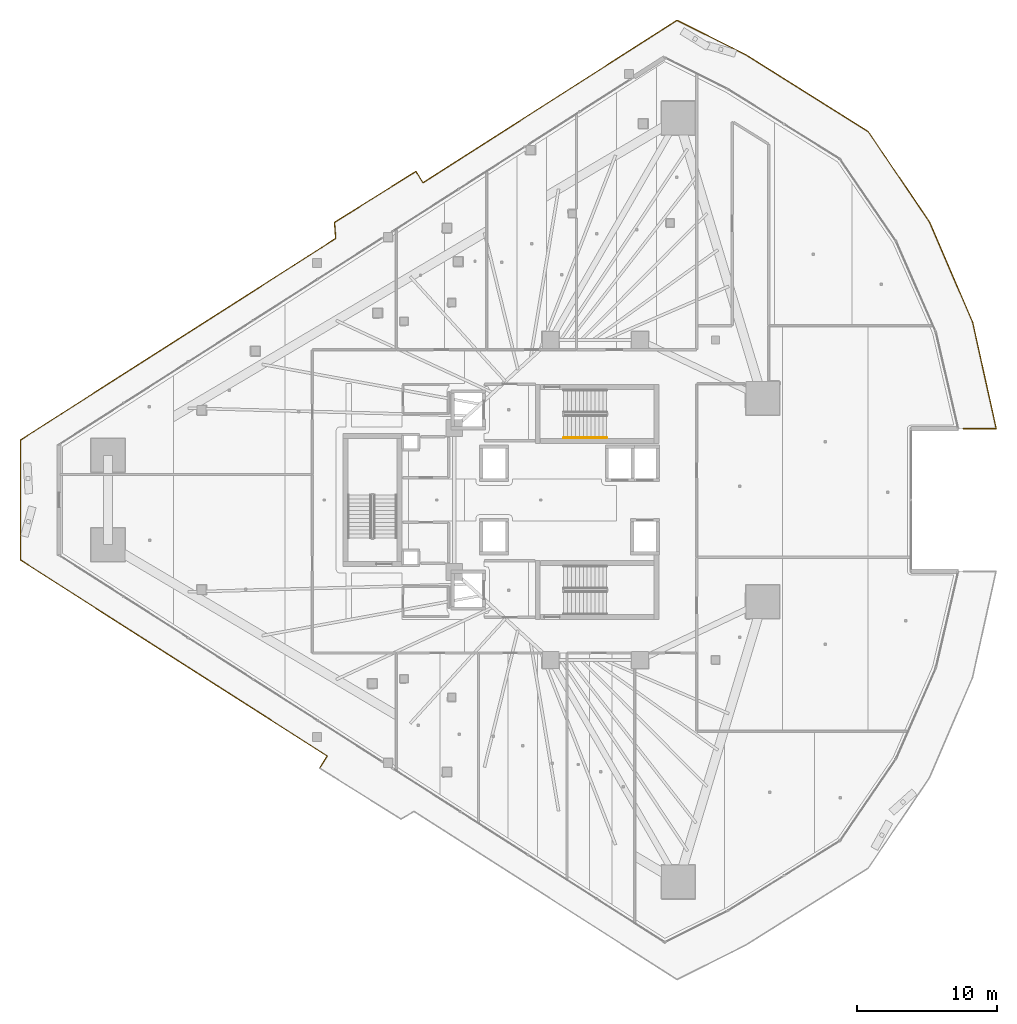
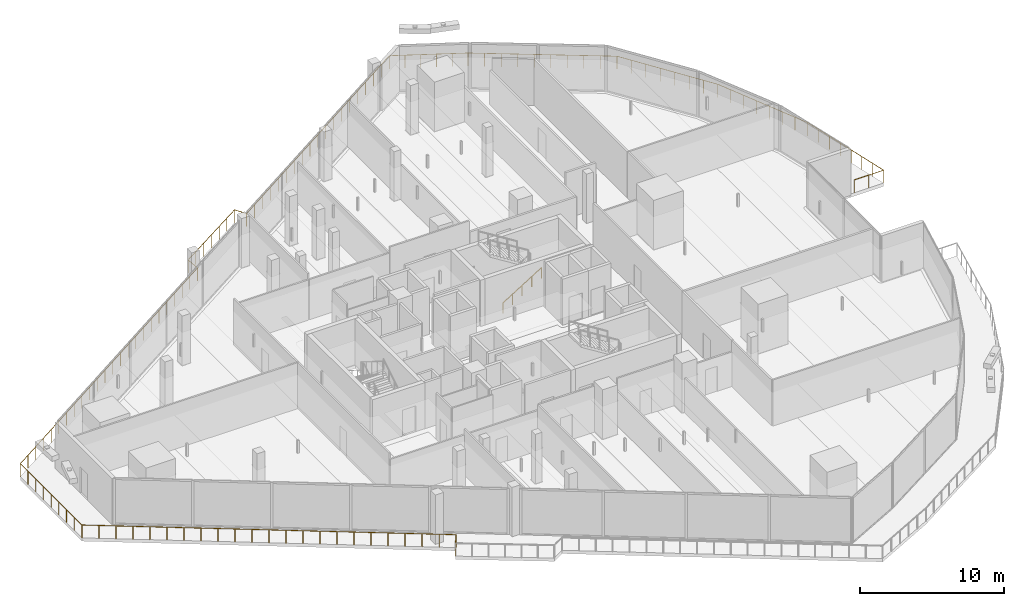
# One storey, part 43 of 45: 2 railings.
"""IFC4 building model written with IfcOpenShell, lengths in metres."""

from ifc_helpers import new_model, si_unit, direction, frame, origin, origin_2d, place, context, subcontext, project, spatial, circle, extrude, material, type_object, element, save


model = new_model("IFC4")

# Units and contexts
model_context = context("Model", 3, precision=1e-05, world=origin(), true_north=direction((0.0, 1.0)))
body_context = subcontext(model_context, "Body", "Model", "MODEL_VIEW")
ifc_project = project(units=[si_unit("LENGTHUNIT", "METRE"), si_unit("AREAUNIT", "SQUARE_METRE"), si_unit("VOLUMEUNIT", "CUBIC_METRE"), si_unit("PLANEANGLEUNIT", "RADIAN"), si_unit("MASSUNIT", "GRAM", prefix="KILO")], contexts=[model_context])

# Site, building, storey
site_placement = place(None, origin())
site = spatial("IfcSite", under=ifc_project, at=site_placement, CompositionType="ELEMENT")
building_placement = place(site_placement, origin())
building = spatial("IfcBuilding", under=site, at=building_placement, Name="Qorvath Tower", CompositionType="ELEMENT")
storey_placement = place(building_placement, frame((0.0, 0.0, 91.199951171875)))
storey = spatial("IfcBuildingStorey", under=building, at=storey_placement, Name="L20", CompositionType="ELEMENT", Elevation=91.199951171875)

# Railings
ifc_material_1 = material(Name="Laminated safety glass and stainless steel AISI 316", Category="steel")
railing_type_1 = type_object("IfcRailingType", Name="RL-EXT-GRD", PredefinedType="GUARDRAIL", material=ifc_material_1)
railing_1_placement = place(storey_placement, frame((-40.152587890625, -19.197998046875, 0.0)))
element("IfcRailing", 1, at=railing_1_placement, inside=storey, type_object=railing_type_1, Name="Loggia Perimeter Guardrail L20-1.1", PredefinedType="GUARDRAIL", context=body_context, shape_type="SweptSolid", body=[
    extrude(circle(Radius=0.02392578125, at=origin_2d()), frame((0.0, 0.0, 1.09619140625), z_axis=(0.539455772968, 0.842013936353, 0.0), x_axis=(-0.842013936353, 0.539455772968, 0.0)), (0.0, 0.0, 1.0), 1.03369140625),
    extrude(circle(Radius=0.02392578125, at=origin_2d()), frame((0.5576171875, 0.870361328125, 1.09619140625), z_axis=(-0.842603814862, 0.538533946172, 0.0), x_axis=(-0.538533946172, -0.842603814862, 0.0)), (0.0, 0.0, 1.0), 26.06396484375),
    extrude(circle(Radius=0.02392578125, at=origin_2d()), frame((-21.404052734375, 14.90673828125, 1.09619140625), z_axis=(0.0, 1.0, 0.0), x_axis=(-1.0, 0.0, 0.0)), (0.0, 0.0, 1.0), 8.58251953125),
    extrude(circle(Radius=0.02392578125, at=origin_2d()), frame((-21.404052734375, 23.4892578125, 1.09619140625), z_axis=(0.842601353451, 0.538537797339, 0.0), x_axis=(-0.538537797339, 0.842601353451, 0.0)), (0.0, 0.0, 1.0), 26.782470703125),
    extrude(circle(Radius=0.02392578125, at=origin_2d()), frame((1.162841796875, 37.91259765625, 1.09619140625), z_axis=(-0.075229995038, 0.997166208737, 0.0), x_axis=(-0.997166208737, -0.075229995038, 0.0)), (0.0, 0.0, 1.0), 1.158447265625),
    extrude(circle(Radius=0.02392578125, at=origin_2d()), frame((1.07568359375, 39.06787109375, 1.09619140625), z_axis=(0.848042108762, 0.529928845946, 0.0), x_axis=(-0.529928845946, 0.848042108762, 0.0)), (0.0, 0.0, 1.0), 6.887939453125),
    extrude(circle(Radius=0.02392578125, at=origin_2d()), frame((6.9169921875, 42.718017578125, 1.09619140625), z_axis=(0.520337982799, -0.853960411059, 0.0), x_axis=(0.853960411059, 0.520337982799, 0.0)), (0.0, 0.0, 1.0), 0.95068359375),
    extrude(circle(Radius=0.02392578125, at=origin_2d()), frame((7.41162109375, 41.90625, 1.09619140625), z_axis=(0.842603862626, 0.53853387144, 0.0), x_axis=(-0.53853387144, 0.842603862626, 0.0)), (0.0, 0.0, 1.0), 21.581298828125),
    extrude(circle(Radius=0.02392578125, at=origin_2d()), frame((25.59619140625, 53.528564453125, 1.09619140625), z_axis=(0.894427191, -0.4472135955, 0.0), x_axis=(0.4472135955, 0.894427191, 0.0)), (0.0, 0.0, 1.0), 5.483154296875),
    extrude(circle(Radius=0.02392578125, at=origin_2d()), frame((30.50048828125, 51.076416015625, 1.09619140625), z_axis=(0.846493918861, -0.532398389677, 0.0), x_axis=(0.532398389677, 0.846493918861, 0.0)), (0.0, 0.0, 1.0), 10.380615234375),
    extrude(circle(Radius=0.02392578125, at=origin_2d()), frame((39.28759765625, 45.5498046875, 1.09619140625), z_axis=(0.560812875322, -0.82794258187, 0.0), x_axis=(0.82794258187, 0.560812875322, 0.0)), (0.0, 0.0, 1.0), 7.805908203125),
    extrude(circle(Radius=0.02392578125, at=origin_2d()), frame((43.665283203125, 39.0869140625, 1.09619140625), z_axis=(0.395507820137, -0.918462609043, 0.0), x_axis=(0.918462609043, 0.395507820137, 0.0)), (0.0, 0.0, 1.0), 7.80615234375),
    extrude(circle(Radius=0.02392578125, at=origin_2d()), frame((46.752685546875, 31.917236328125, 1.09619140625), z_axis=(0.216085924494, -0.976374350972, 0.0), x_axis=(0.976374350972, 0.216085924494, 0.0)), (0.0, 0.0, 1.0), 7.805908203125),
    extrude(circle(Radius=0.02392578125, at=origin_2d()), frame((48.439453125, 24.295654296875, 1.09619140625), z_axis=(-1.0, 0.0, 0.0), x_axis=(0.0, -1.0, 0.0)), (0.0, 0.0, 1.0), 2.366455078125),
    extrude(circle(Radius=0.02099609375, at=origin_2d()), origin(), (0.0, 0.0, 1.0), 1.072021484375),
    extrude(circle(Radius=0.02099609375, at=origin_2d()), frame((0.5576171875, 0.870361328125, 0.0)), (0.0, 0.0, 1.0), 1.072021484375),
    extrude(circle(Radius=0.02099609375, at=origin_2d()), frame((-0.440673828125, 1.50830078125, 0.0)), (0.0, 0.0, 1.0), 1.072021484375),
    extrude(circle(Radius=0.02099609375, at=origin_2d()), frame((-1.43896484375, 2.146484375, 0.0)), (0.0, 0.0, 1.0), 1.072021484375),
    extrude(circle(Radius=0.02099609375, at=origin_2d()), frame((-2.437255859375, 2.784423828125, 0.0)), (0.0, 0.0, 1.0), 1.072021484375),
    extrude(circle(Radius=0.02099609375, at=origin_2d()), frame((-3.435302734375, 3.42236328125, 0.0)), (0.0, 0.0, 1.0), 1.072021484375),
    extrude(circle(Radius=0.02099609375, at=origin_2d()), frame((-4.43359375, 4.060546875, 0.0)), (0.0, 0.0, 1.0), 1.072021484375),
    extrude(circle(Radius=0.02099609375, at=origin_2d()), frame((-5.431884765625, 4.698486328125, 0.0)), (0.0, 0.0, 1.0), 1.072021484375),
    extrude(circle(Radius=0.02099609375, at=origin_2d()), frame((-6.43017578125, 5.33642578125, 0.0)), (0.0, 0.0, 1.0), 1.072021484375),
    extrude(circle(Radius=0.02099609375, at=origin_2d()), frame((-7.428466796875, 5.974609375, 0.0)), (0.0, 0.0, 1.0), 1.072021484375),
    extrude(circle(Radius=0.02099609375, at=origin_2d()), frame((-8.4267578125, 6.612548828125, 0.0)), (0.0, 0.0, 1.0), 1.072021484375),
    extrude(circle(Radius=0.02099609375, at=origin_2d()), frame((-9.425048828125, 7.25048828125, 0.0)), (0.0, 0.0, 1.0), 1.072021484375),
    extrude(circle(Radius=0.02099609375, at=origin_2d()), frame((-10.42333984375, 7.888671875, 0.0)), (0.0, 0.0, 1.0), 1.072021484375),
    extrude(circle(Radius=0.02099609375, at=origin_2d()), frame((-11.42138671875, 8.526611328125, 0.0)), (0.0, 0.0, 1.0), 1.072021484375),
    extrude(circle(Radius=0.02099609375, at=origin_2d()), frame((-12.419677734375, 9.16455078125, 0.0)), (0.0, 0.0, 1.0), 1.072021484375),
    extrude(circle(Radius=0.02099609375, at=origin_2d()), frame((-13.41796875, 9.802490234375, 0.0)), (0.0, 0.0, 1.0), 1.072021484375),
    extrude(circle(Radius=0.02099609375, at=origin_2d()), frame((-14.416259765625, 10.440673828125, 0.0)), (0.0, 0.0, 1.0), 1.072021484375),
    extrude(circle(Radius=0.02099609375, at=origin_2d()), frame((-15.41455078125, 11.07861328125, 0.0)), (0.0, 0.0, 1.0), 1.072021484375),
    extrude(circle(Radius=0.02099609375, at=origin_2d()), frame((-16.412841796875, 11.716552734375, 0.0)), (0.0, 0.0, 1.0), 1.072021484375),
    extrude(circle(Radius=0.02099609375, at=origin_2d()), frame((-17.4111328125, 12.354736328125, 0.0)), (0.0, 0.0, 1.0), 1.072021484375),
    extrude(circle(Radius=0.02099609375, at=origin_2d()), frame((-18.4091796875, 12.99267578125, 0.0)), (0.0, 0.0, 1.0), 1.072021484375),
    extrude(circle(Radius=0.02099609375, at=origin_2d()), frame((-19.407470703125, 13.630615234375, 0.0)), (0.0, 0.0, 1.0), 1.072021484375),
    extrude(circle(Radius=0.02099609375, at=origin_2d()), frame((-20.40576171875, 14.268798828125, 0.0)), (0.0, 0.0, 1.0), 1.072021484375),
    extrude(circle(Radius=0.02099609375, at=origin_2d()), frame((-21.404052734375, 14.90673828125, 0.0)), (0.0, 0.0, 1.0), 1.072021484375),
    extrude(circle(Radius=0.02099609375, at=origin_2d()), frame((-21.404052734375, 15.9794921875, 0.0)), (0.0, 0.0, 1.0), 1.072021484375),
    extrude(circle(Radius=0.02099609375, at=origin_2d()), frame((-21.404052734375, 17.05224609375, 0.0)), (0.0, 0.0, 1.0), 1.072021484375),
    extrude(circle(Radius=0.02099609375, at=origin_2d()), frame((-21.404052734375, 18.125244140625, 0.0)), (0.0, 0.0, 1.0), 1.072021484375),
    extrude(circle(Radius=0.02099609375, at=origin_2d()), frame((-21.404052734375, 19.197998046875, 0.0)), (0.0, 0.0, 1.0), 1.072021484375),
    extrude(circle(Radius=0.02099609375, at=origin_2d()), frame((-21.404052734375, 20.270751953125, 0.0)), (0.0, 0.0, 1.0), 1.072021484375),
    extrude(circle(Radius=0.02099609375, at=origin_2d()), frame((-21.404052734375, 21.34375, 0.0)), (0.0, 0.0, 1.0), 1.072021484375),
    extrude(circle(Radius=0.02099609375, at=origin_2d()), frame((-21.404052734375, 22.41650390625, 0.0)), (0.0, 0.0, 1.0), 1.072021484375),
    extrude(circle(Radius=0.02099609375, at=origin_2d()), frame((-21.404052734375, 23.4892578125, 0.0)), (0.0, 0.0, 1.0), 1.072021484375),
    extrude(circle(Radius=0.02099609375, at=origin_2d()), frame((-20.4228515625, 24.116455078125, 0.0)), (0.0, 0.0, 1.0), 1.072021484375),
    extrude(circle(Radius=0.02099609375, at=origin_2d()), frame((-19.441650390625, 24.743408203125, 0.0)), (0.0, 0.0, 1.0), 1.072021484375),
    extrude(circle(Radius=0.02099609375, at=origin_2d()), frame((-18.46044921875, 25.37060546875, 0.0)), (0.0, 0.0, 1.0), 1.072021484375),
    extrude(circle(Radius=0.02099609375, at=origin_2d()), frame((-17.4794921875, 25.99755859375, 0.0)), (0.0, 0.0, 1.0), 1.072021484375),
    extrude(circle(Radius=0.02099609375, at=origin_2d()), frame((-16.498291015625, 26.624755859375, 0.0)), (0.0, 0.0, 1.0), 1.072021484375),
    extrude(circle(Radius=0.02099609375, at=origin_2d()), frame((-15.51708984375, 27.251953125, 0.0)), (0.0, 0.0, 1.0), 1.072021484375),
    extrude(circle(Radius=0.02099609375, at=origin_2d()), frame((-14.535888671875, 27.87890625, 0.0)), (0.0, 0.0, 1.0), 1.072021484375),
    extrude(circle(Radius=0.02099609375, at=origin_2d()), frame((-13.5546875, 28.506103515625, 0.0)), (0.0, 0.0, 1.0), 1.072021484375),
    extrude(circle(Radius=0.02099609375, at=origin_2d()), frame((-12.573486328125, 29.133056640625, 0.0)), (0.0, 0.0, 1.0), 1.072021484375),
    extrude(circle(Radius=0.02099609375, at=origin_2d()), frame((-11.59228515625, 29.76025390625, 0.0)), (0.0, 0.0, 1.0), 1.072021484375),
    extrude(circle(Radius=0.02099609375, at=origin_2d()), frame((-10.611083984375, 30.387451171875, 0.0)), (0.0, 0.0, 1.0), 1.072021484375),
    extrude(circle(Radius=0.02099609375, at=origin_2d()), frame((-9.630126953125, 31.014404296875, 0.0)), (0.0, 0.0, 1.0), 1.072021484375),
    extrude(circle(Radius=0.02099609375, at=origin_2d()), frame((-8.64892578125, 31.6416015625, 0.0)), (0.0, 0.0, 1.0), 1.072021484375),
    extrude(circle(Radius=0.02099609375, at=origin_2d()), frame((-7.667724609375, 32.268798828125, 0.0)), (0.0, 0.0, 1.0), 1.072021484375),
    extrude(circle(Radius=0.02099609375, at=origin_2d()), frame((-6.6865234375, 32.895751953125, 0.0)), (0.0, 0.0, 1.0), 1.072021484375),
    extrude(circle(Radius=0.02099609375, at=origin_2d()), frame((-5.705322265625, 33.52294921875, 0.0)), (0.0, 0.0, 1.0), 1.072021484375),
    extrude(circle(Radius=0.02099609375, at=origin_2d()), frame((-4.72412109375, 34.14990234375, 0.0)), (0.0, 0.0, 1.0), 1.072021484375),
    extrude(circle(Radius=0.02099609375, at=origin_2d()), frame((-3.742919921875, 34.777099609375, 0.0)), (0.0, 0.0, 1.0), 1.072021484375),
    extrude(circle(Radius=0.02099609375, at=origin_2d()), frame((-2.76171875, 35.404296875, 0.0)), (0.0, 0.0, 1.0), 1.072021484375),
    extrude(circle(Radius=0.02099609375, at=origin_2d()), frame((-1.78076171875, 36.03125, 0.0)), (0.0, 0.0, 1.0), 1.072021484375),
    extrude(circle(Radius=0.02099609375, at=origin_2d()), frame((-0.799560546875, 36.658447265625, 0.0)), (0.0, 0.0, 1.0), 1.072021484375),
    extrude(circle(Radius=0.02099609375, at=origin_2d()), frame((0.181640625, 37.285400390625, 0.0)), (0.0, 0.0, 1.0), 1.072021484375),
    extrude(circle(Radius=0.02099609375, at=origin_2d()), frame((1.162841796875, 37.91259765625, 0.0)), (0.0, 0.0, 1.0), 1.072021484375),
    extrude(circle(Radius=0.02099609375, at=origin_2d()), frame((1.07568359375, 39.06787109375, 0.0)), (0.0, 0.0, 1.0), 1.072021484375),
    extrude(circle(Radius=0.02099609375, at=origin_2d()), frame((2.04931640625, 39.67626953125, 0.0)), (0.0, 0.0, 1.0), 1.072021484375),
    extrude(circle(Radius=0.02099609375, at=origin_2d()), frame((3.022705078125, 40.28466796875, 0.0)), (0.0, 0.0, 1.0), 1.072021484375),
    extrude(circle(Radius=0.02099609375, at=origin_2d()), frame((3.996337890625, 40.89306640625, 0.0)), (0.0, 0.0, 1.0), 1.072021484375),
    extrude(circle(Radius=0.02099609375, at=origin_2d()), frame((4.969970703125, 41.501220703125, 0.0)), (0.0, 0.0, 1.0), 1.072021484375),
    extrude(circle(Radius=0.02099609375, at=origin_2d()), frame((5.943359375, 42.109619140625, 0.0)), (0.0, 0.0, 1.0), 1.072021484375),
    extrude(circle(Radius=0.02099609375, at=origin_2d()), frame((6.9169921875, 42.718017578125, 0.0)), (0.0, 0.0, 1.0), 1.072021484375),
    extrude(circle(Radius=0.02099609375, at=origin_2d()), frame((7.41162109375, 41.90625, 0.0)), (0.0, 0.0, 1.0), 1.072021484375),
    extrude(circle(Radius=0.02099609375, at=origin_2d()), frame((8.421875, 42.552001953125, 0.0)), (0.0, 0.0, 1.0), 1.072021484375),
    extrude(circle(Radius=0.02099609375, at=origin_2d()), frame((9.43212890625, 43.197509765625, 0.0)), (0.0, 0.0, 1.0), 1.072021484375),
    extrude(circle(Radius=0.02099609375, at=origin_2d()), frame((10.4423828125, 43.84326171875, 0.0)), (0.0, 0.0, 1.0), 1.072021484375),
    extrude(circle(Radius=0.02099609375, at=origin_2d()), frame((11.45263671875, 44.489013671875, 0.0)), (0.0, 0.0, 1.0), 1.072021484375),
    extrude(circle(Radius=0.02099609375, at=origin_2d()), frame((12.462890625, 45.134765625, 0.0)), (0.0, 0.0, 1.0), 1.072021484375),
    extrude(circle(Radius=0.02099609375, at=origin_2d()), frame((13.47314453125, 45.7802734375, 0.0)), (0.0, 0.0, 1.0), 1.072021484375),
    extrude(circle(Radius=0.02099609375, at=origin_2d()), frame((14.4833984375, 46.426025390625, 0.0)), (0.0, 0.0, 1.0), 1.072021484375),
    extrude(circle(Radius=0.02099609375, at=origin_2d()), frame((15.49365234375, 47.07177734375, 0.0)), (0.0, 0.0, 1.0), 1.072021484375),
    extrude(circle(Radius=0.02099609375, at=origin_2d()), frame((16.50390625, 47.71728515625, 0.0)), (0.0, 0.0, 1.0), 1.072021484375),
    extrude(circle(Radius=0.02099609375, at=origin_2d()), frame((17.51416015625, 48.363037109375, 0.0)), (0.0, 0.0, 1.0), 1.072021484375),
    extrude(circle(Radius=0.02099609375, at=origin_2d()), frame((18.5244140625, 49.0087890625, 0.0)), (0.0, 0.0, 1.0), 1.072021484375),
    extrude(circle(Radius=0.02099609375, at=origin_2d()), frame((19.53466796875, 49.654541015625, 0.0)), (0.0, 0.0, 1.0), 1.072021484375),
    extrude(circle(Radius=0.02099609375, at=origin_2d()), frame((20.544921875, 50.300048828125, 0.0)), (0.0, 0.0, 1.0), 1.072021484375),
    extrude(circle(Radius=0.02099609375, at=origin_2d()), frame((21.55517578125, 50.94580078125, 0.0)), (0.0, 0.0, 1.0), 1.072021484375),
    extrude(circle(Radius=0.02099609375, at=origin_2d()), frame((22.5654296875, 51.591552734375, 0.0)), (0.0, 0.0, 1.0), 1.072021484375),
    extrude(circle(Radius=0.02099609375, at=origin_2d()), frame((23.57568359375, 52.2373046875, 0.0)), (0.0, 0.0, 1.0), 1.072021484375),
    extrude(circle(Radius=0.02099609375, at=origin_2d()), frame((24.5859375, 52.8828125, 0.0)), (0.0, 0.0, 1.0), 1.072021484375),
    extrude(circle(Radius=0.02099609375, at=origin_2d()), frame((25.59619140625, 53.528564453125, 0.0)), (0.0, 0.0, 1.0), 1.072021484375),
    extrude(circle(Radius=0.02099609375, at=origin_2d()), frame((26.5771484375, 53.0380859375, 0.0)), (0.0, 0.0, 1.0), 1.072021484375),
    extrude(circle(Radius=0.02099609375, at=origin_2d()), frame((27.557861328125, 52.547607421875, 0.0)), (0.0, 0.0, 1.0), 1.072021484375),
    extrude(circle(Radius=0.02099609375, at=origin_2d()), frame((28.538818359375, 52.057373046875, 0.0)), (0.0, 0.0, 1.0), 1.072021484375),
    extrude(circle(Radius=0.02099609375, at=origin_2d()), frame((29.51953125, 51.56689453125, 0.0)), (0.0, 0.0, 1.0), 1.072021484375),
    extrude(circle(Radius=0.02099609375, at=origin_2d()), frame((30.50048828125, 51.076416015625, 0.0)), (0.0, 0.0, 1.0), 1.072021484375),
    extrude(circle(Radius=0.02099609375, at=origin_2d()), frame((31.476806640625, 50.46240234375, 0.0)), (0.0, 0.0, 1.0), 1.072021484375),
    extrude(circle(Radius=0.02099609375, at=origin_2d()), frame((32.453125, 49.848388671875, 0.0)), (0.0, 0.0, 1.0), 1.072021484375),
    extrude(circle(Radius=0.02099609375, at=origin_2d()), frame((33.429443359375, 49.234130859375, 0.0)), (0.0, 0.0, 1.0), 1.072021484375),
    extrude(circle(Radius=0.02099609375, at=origin_2d()), frame((34.40576171875, 48.6201171875, 0.0)), (0.0, 0.0, 1.0), 1.072021484375),
    extrude(circle(Radius=0.02099609375, at=origin_2d()), frame((35.38232421875, 48.006103515625, 0.0)), (0.0, 0.0, 1.0), 1.072021484375),
    extrude(circle(Radius=0.02099609375, at=origin_2d()), frame((36.358642578125, 47.39208984375, 0.0)), (0.0, 0.0, 1.0), 1.072021484375),
    extrude(circle(Radius=0.02099609375, at=origin_2d()), frame((37.3349609375, 46.77783203125, 0.0)), (0.0, 0.0, 1.0), 1.072021484375),
    extrude(circle(Radius=0.02099609375, at=origin_2d()), frame((38.311279296875, 46.163818359375, 0.0)), (0.0, 0.0, 1.0), 1.072021484375),
    extrude(circle(Radius=0.02099609375, at=origin_2d()), frame((39.28759765625, 45.5498046875, 0.0)), (0.0, 0.0, 1.0), 1.072021484375),
    extrude(circle(Radius=0.02099609375, at=origin_2d()), frame((39.9130859375, 44.62646484375, 0.0)), (0.0, 0.0, 1.0), 1.072021484375),
    extrude(circle(Radius=0.02099609375, at=origin_2d()), frame((40.538330078125, 43.703369140625, 0.0)), (0.0, 0.0, 1.0), 1.072021484375),
    extrude(circle(Radius=0.02099609375, at=origin_2d()), frame((41.163818359375, 42.780029296875, 0.0)), (0.0, 0.0, 1.0), 1.072021484375),
    extrude(circle(Radius=0.02099609375, at=origin_2d()), frame((41.7890625, 41.856689453125, 0.0)), (0.0, 0.0, 1.0), 1.072021484375),
    extrude(circle(Radius=0.02099609375, at=origin_2d()), frame((42.41455078125, 40.933349609375, 0.0)), (0.0, 0.0, 1.0), 1.072021484375),
    extrude(circle(Radius=0.02099609375, at=origin_2d()), frame((43.039794921875, 40.01025390625, 0.0)), (0.0, 0.0, 1.0), 1.072021484375),
    extrude(circle(Radius=0.02099609375, at=origin_2d()), frame((43.665283203125, 39.0869140625, 0.0)), (0.0, 0.0, 1.0), 1.072021484375),
    extrude(circle(Radius=0.02099609375, at=origin_2d()), frame((44.1064453125, 38.062744140625, 0.0)), (0.0, 0.0, 1.0), 1.072021484375),
    extrude(circle(Radius=0.02099609375, at=origin_2d()), frame((44.54736328125, 37.038330078125, 0.0)), (0.0, 0.0, 1.0), 1.072021484375),
    extrude(circle(Radius=0.02099609375, at=origin_2d()), frame((44.988525390625, 36.01416015625, 0.0)), (0.0, 0.0, 1.0), 1.072021484375),
    extrude(circle(Radius=0.02099609375, at=origin_2d()), frame((45.429443359375, 34.989990234375, 0.0)), (0.0, 0.0, 1.0), 1.072021484375),
    extrude(circle(Radius=0.02099609375, at=origin_2d()), frame((45.87060546875, 33.9658203125, 0.0)), (0.0, 0.0, 1.0), 1.072021484375),
    extrude(circle(Radius=0.02099609375, at=origin_2d()), frame((46.3115234375, 32.94140625, 0.0)), (0.0, 0.0, 1.0), 1.072021484375),
    extrude(circle(Radius=0.02099609375, at=origin_2d()), frame((46.752685546875, 31.917236328125, 0.0)), (0.0, 0.0, 1.0), 1.072021484375),
    extrude(circle(Radius=0.02099609375, at=origin_2d()), frame((46.99365234375, 30.828369140625, 0.0)), (0.0, 0.0, 1.0), 1.072021484375),
    extrude(circle(Radius=0.02099609375, at=origin_2d()), frame((47.234619140625, 29.73974609375, 0.0)), (0.0, 0.0, 1.0), 1.072021484375),
    extrude(circle(Radius=0.02099609375, at=origin_2d()), frame((47.4755859375, 28.65087890625, 0.0)), (0.0, 0.0, 1.0), 1.072021484375),
    extrude(circle(Radius=0.02099609375, at=origin_2d()), frame((47.716552734375, 27.56201171875, 0.0)), (0.0, 0.0, 1.0), 1.072021484375),
    extrude(circle(Radius=0.02099609375, at=origin_2d()), frame((47.95751953125, 26.47314453125, 0.0)), (0.0, 0.0, 1.0), 1.072021484375),
    extrude(circle(Radius=0.02099609375, at=origin_2d()), frame((48.198486328125, 25.384521484375, 0.0)), (0.0, 0.0, 1.0), 1.072021484375),
    extrude(circle(Radius=0.02099609375, at=origin_2d()), frame((48.439453125, 24.295654296875, 0.0)), (0.0, 0.0, 1.0), 1.072021484375),
    extrude(circle(Radius=0.02099609375, at=origin_2d()), frame((47.25634765625, 24.295654296875, 0.0)), (0.0, 0.0, 1.0), 1.072021484375),
    extrude(circle(Radius=0.02099609375, at=origin_2d()), frame((46.072998046875, 24.295654296875, 0.0)), (0.0, 0.0, 1.0), 1.072021484375),
])
ifc_material_2 = material(Name="Brushed stainless steel AISI 304", Category="steel")
railing_type_2 = type_object("IfcRailingType", Name="RL-STR-HND", PredefinedType="HANDRAIL", material=ifc_material_2)
railing_2_placement = place(storey_placement, frame((-22.669921875, 4.449951171875, 0.175048828125)))
element("IfcRailing", 2, at=railing_2_placement, inside=storey, type_object=railing_type_2, Name="L20 TS1 stair handrail 1", PredefinedType="HANDRAIL", context=body_context, shape_type="SweptSolid", body=[
    extrude(circle(Radius=0.02392578125, at=origin_2d()), frame((0.0, 0.0, 0.8759765625), z_axis=(0.847979421464, 0.0, 0.530029150871), x_axis=(0.0, 1.0, 0.0)), (0.0, 0.0, 1.0), 3.632080078125),
    extrude(circle(Radius=0.02099609375, at=origin_2d()), origin(), (0.0, 0.0, 1.0), 0.851806640625),
    extrude(circle(Radius=0.02099609375, at=origin_2d()), frame((0.77001953125, 0.0, 0.481201171875)), (0.0, 0.0, 1.0), 0.851806640625),
    extrude(circle(Radius=0.02099609375, at=origin_2d()), frame((1.5400390625, 0.0, 0.96240234375)), (0.0, 0.0, 1.0), 0.851806640625),
    extrude(circle(Radius=0.02099609375, at=origin_2d()), frame((2.309814453125, 0.0, 1.44384765625)), (0.0, 0.0, 1.0), 0.851806640625),
    extrude(circle(Radius=0.02099609375, at=origin_2d()), frame((3.079833984375, 0.0, 1.925048828125)), (0.0, 0.0, 1.0), 0.851806640625),
])

save(model, "model.ifc")
